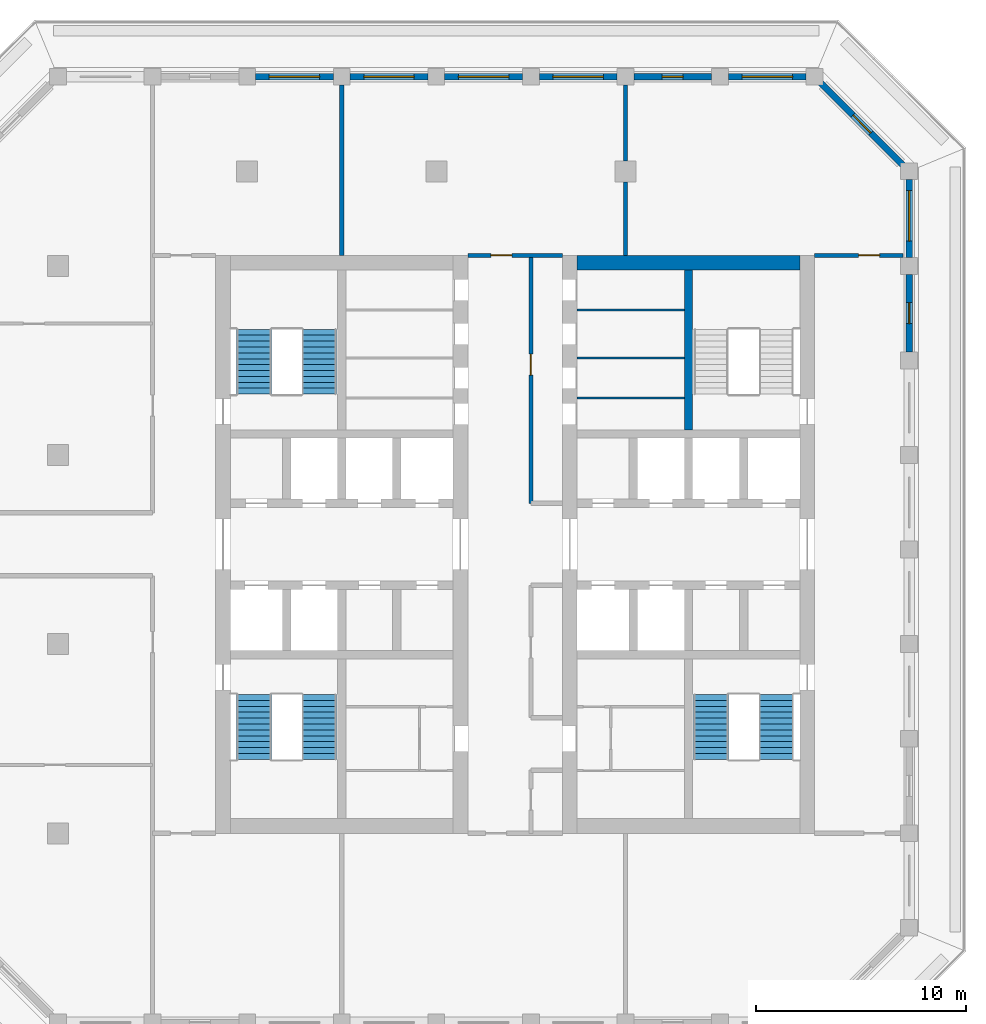
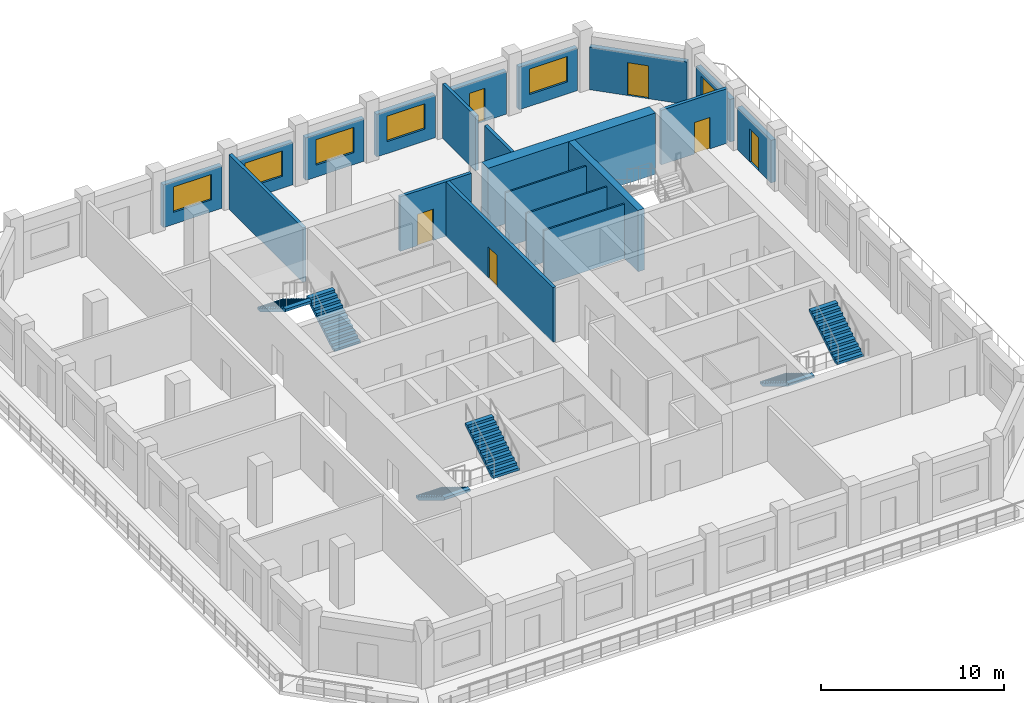
# One storey, part 6 of 14: 20 walls, 6 doors, 6 stair flights, 6 windows, 12 openings, 3 elements without a shape of their own.
"""IFC4 building model written with IfcOpenShell, lengths in metres."""

from ifc_helpers import new_model, si_unit, direction, frame, frame_2d, origin, place, context, subcontext, project, spatial, polyline, rectangle, outline, extrude, material, layer, layer_set, type_object, element, fill, aggregate, save


model = new_model("IFC4")

# Units and contexts
model_context = context("Model", 3, precision=1e-05, world=origin(), true_north=direction((0.0, 1.0)))
body_context = subcontext(model_context, "Body", "Model", "MODEL_VIEW")
ifc_project = project(units=[si_unit("LENGTHUNIT", "METRE"), si_unit("AREAUNIT", "SQUARE_METRE"), si_unit("VOLUMEUNIT", "CUBIC_METRE"), si_unit("PLANEANGLEUNIT", "RADIAN"), si_unit("MASSUNIT", "GRAM", prefix="KILO")], contexts=[model_context])

# Site, building, storey
site_placement = place(None, origin())
site = spatial("IfcSite", under=ifc_project, at=site_placement, CompositionType="ELEMENT")
building_placement = place(site_placement, origin())
building = spatial("IfcBuilding", under=site, at=building_placement, Name="Corbel Stack Research Tower", CompositionType="ELEMENT")
storey_placement = place(building_placement, frame((0.0, 0.0, 270.39990234375)))
storey = spatial("IfcBuildingStorey", under=building, at=storey_placement, Name="L61", CompositionType="ELEMENT", Elevation=270.39990234375)

# Walls
ifc_material_1 = material(Name="Concrete C60/75", Category="concrete")
ifc_layer_1 = layer(ifc_material_1, 0.39990234375)
ifc_layer_set_1 = layer_set([ifc_layer_1], Name="Concrete C60/75")
wall_type_1 = type_object("IfcWallType", Name="CW-400-60", PredefinedType="SHEAR", material=ifc_layer_set_1)
wall_1_placement = place(storey_placement, frame((12.0, 10.199951171875, 0.0), z_axis=(0.0, 0.0, 1.0), x_axis=(0.0, 1.0, 0.0)))
element("IfcWall", 1, at=wall_1_placement, inside=storey, type_object=wall_type_1, Name="East core wall, north stair and riser L61", PredefinedType="SHEAR", context=body_context, shape_type="SweptSolid", body=[
    extrude(rectangle(XDim=7.60009765625, YDim=0.39990234375, at=frame_2d((3.800048828125, 0.0))), origin(), (0.0, 0.0, 1.0), 4.10009765625),
])
ifc_material_2 = material(Name="Concrete C60/75", Category="concrete")
ifc_layer_2 = layer(ifc_material_2, 0.699951171875)
ifc_layer_set_2 = layer_set([ifc_layer_2], Name="Concrete C60/75")
wall_type_2 = type_object("IfcWallType", Name="CW-700-60", PredefinedType="SHEAR", material=ifc_layer_set_2)
wall_2_placement = place(storey_placement, frame((6.699951171875, 18.14990234375, 0.0), z_axis=(0.0, 0.0, 1.0), x_axis=(1.0, 0.0, 0.0)))
element("IfcWall", 2, at=wall_2_placement, inside=storey, type_object=wall_type_2, Name="East core wall, north end L61", PredefinedType="SHEAR", context=body_context, shape_type="SweptSolid", body=[
    extrude(rectangle(XDim=10.60009765625, YDim=0.699951171875, at=frame_2d((5.300048828125, 0.0))), origin(), (0.0, 0.0, 1.0), 4.10009765625),
])
ifc_material_3 = material(Name="Gypsum board")
ifc_layer_3 = layer(ifc_material_3, 0.10009765625)
ifc_layer_set_3 = layer_set([ifc_layer_3], Name="Gypsum board")
wall_type_3 = type_object("IfcWallType", Name="Core partition 100", PredefinedType="PARTITIONING", material=ifc_layer_set_3)
for number, where, z_axis, x_axis, name in (
    (3, (6.699951171875, 11.719970703125, 0.0), (0.0, 0.0, 1.0), (1.0, 0.0, 0.0), "Core partition E"),
    (4, (6.699951171875, 13.6201171875, 0.0), (0.0, 0.0, 1.0), (1.0, 0.0, 0.0), "Core partition E"),
    (5, (6.699951171875, 15.89990234375, 0.0), (0.0, 0.0, 1.0), (1.0, 0.0, 0.0), "Core partition E"),
):
    element("IfcWall", number, at=place(storey_placement, frame(where, z_axis=z_axis, x_axis=x_axis)), inside=storey, type_object=wall_type_3, Name=name, PredefinedType="PARTITIONING", context=body_context, shape_type="SweptSolid", body=[
        extrude(rectangle(XDim=5.10009765625, YDim=0.10009765625, at=frame_2d((2.550048828125, 0.0))), origin(), (0.0, 0.0, 1.0), 3.650146484375),
    ])
ifc_material_4 = material(Name="Fire-rated gypsum board partition on steel studs", Category="steel")
ifc_layer_4 = layer(ifc_material_4, 0.199951171875)
ifc_layer_set_4 = layer_set([ifc_layer_4], Name="Fire-rated gypsum board partition on steel studs")
wall_type_4 = type_object("IfcWallType", Name="Fire-rated partition 200 EI 60", PredefinedType="PARTITIONING", material=ifc_layer_set_4)
wall_3_placement = place(storey_placement, frame((-4.5, 18.5, 0.0), z_axis=(0.0, 0.0, 1.0), x_axis=(0.0, 1.0, 0.0)))
element("IfcWall", 6, at=wall_3_placement, inside=storey, type_object=wall_type_4, Name="Partition L61-004", PredefinedType="PARTITIONING", context=body_context, shape_type="SweptSolid", body=[
    extrude(rectangle(XDim=8.10009765625, YDim=0.199951171875, at=frame_2d((4.050048828125, 0.0))), origin(), (0.0, 0.0, 1.0), 3.650146484375),
])

# Wall, opening, door
wall_4_placement = place(storey_placement, frame((4.5, 18.5, 0.0), z_axis=(0.0, 0.0, 1.0), x_axis=(0.0, -1.0, 0.0)))
wall_4 = element("IfcWall", 7, at=wall_4_placement, inside=storey, type_object=wall_type_4, Name="Partition L61-007", PredefinedType="PARTITIONING", context=body_context, shape_type="SweptSolid", body=[
    extrude(rectangle(XDim=11.800048828125, YDim=0.199951171875, at=frame_2d((5.89990234375, 0.0))), origin(), (0.0, 0.0, 1.0), 3.650146484375),
])
opening_1_placement = place(wall_4_placement, frame((4.699951171875, 0.0, 0.0)))
opening_1 = element("IfcOpeningElement", 8, at=opening_1_placement, cuts=wall_4, Name="Opening B8V1-009", PredefinedType="OPENING", context=body_context, shape_type="SweptSolid", body=[
    extrude(rectangle(XDim=1.0, YDim=2.10009765625, at=frame_2d((0.5, 1.050048828125))), frame((0.0, 0.10986328125, 0.0), z_axis=(0.0, -1.0, 0.0), x_axis=(1.0, 0.0, 0.0)), (0.0, 0.0, 1.0), 0.219970703125),
])
ifc_material_5 = material(Name="Painted steel fire door", Category="steel")
door_type_1 = type_object("IfcDoorType", Name="Fire door FD30S 1000 x 2100", OperationType="NOTDEFINED", PredefinedType="DOOR", material=ifc_material_5)
door_1_placement = place(opening_1_placement, origin())
door_1 = element("IfcDoor", 9, at=door_1_placement, inside=storey, type_object=door_type_1, Name="Door B8V1-009", OperationType="SINGLE_SWING_LEFT", OverallHeight=2.10009765625, OverallWidth=1.0, PredefinedType="DOOR", context=body_context, shape_type="SweptSolid", body=[
    extrude(rectangle(XDim=1.0, YDim=2.10009765625, at=frame_2d((0.5, 1.050048828125))), frame((0.0, 0.02490234375, 0.0), z_axis=(0.0, -1.0, 0.0), x_axis=(1.0, 0.0, 0.0)), (0.0, 0.0, 1.0), 0.050048828125),
])
fill(opening_1, door_1)

# Walls
wall_5_placement = place(storey_placement, frame((9.0, 18.5, 0.0), z_axis=(0.0, 0.0, 1.0), x_axis=(0.0, 1.0, 0.0)))
element("IfcWall", 10, at=wall_5_placement, inside=storey, type_object=wall_type_4, Name="Partition L61-009", PredefinedType="PARTITIONING", context=body_context, shape_type="SweptSolid", body=[
    extrude(rectangle(XDim=3.5, YDim=0.199951171875, at=frame_2d((1.75, 0.0))), origin(), (0.0, 0.0, 1.0), 3.650146484375),
])
wall_6_placement = place(storey_placement, frame((9.0, 23.0, 0.0), z_axis=(0.0, 0.0, 1.0), x_axis=(0.0, 1.0, 0.0)))
element("IfcWall", 11, at=wall_6_placement, inside=storey, type_object=wall_type_4, Name="Partition L61-010", PredefinedType="PARTITIONING", context=body_context, shape_type="SweptSolid", body=[
    extrude(rectangle(XDim=3.60009765625, YDim=0.199951171875, at=frame_2d((1.800048828125, 0.0))), origin(), (0.0, 0.0, 1.0), 3.650146484375),
])

# Wall, opening, door
wall_7_placement = place(storey_placement, frame((1.5, 18.5, 0.0), z_axis=(0.0, 0.0, 1.0), x_axis=(1.0, 0.0, 0.0)))
wall_7 = element("IfcWall", 12, at=wall_7_placement, inside=storey, type_object=wall_type_4, Name="Partition L61-023", PredefinedType="PARTITIONING", context=body_context, shape_type="SweptSolid", body=[
    extrude(rectangle(XDim=4.5, YDim=0.199951171875, at=frame_2d((2.25, 0.0))), origin(), (0.0, 0.0, 1.0), 3.650146484375),
])
opening_2_placement = place(wall_7_placement, frame((1.10009765625, 0.0, 0.0)))
opening_2 = element("IfcOpeningElement", 13, at=opening_2_placement, cuts=wall_7, Name="Opening B8V1-012", PredefinedType="OPENING", context=body_context, shape_type="SweptSolid", body=[
    extrude(rectangle(XDim=1.0, YDim=2.10009765625, at=frame_2d((0.5, 1.050048828125))), frame((0.0, 0.10986328125, 0.0), z_axis=(0.0, -1.0, 0.0), x_axis=(1.0, 0.0, 0.0)), (0.0, 0.0, 1.0), 0.219970703125),
])
door_2_placement = place(opening_2_placement, origin())
door_2 = element("IfcDoor", 14, at=door_2_placement, inside=storey, type_object=door_type_1, Name="Door B8V1-012", OperationType="SINGLE_SWING_LEFT", OverallHeight=2.10009765625, OverallWidth=1.0, PredefinedType="DOOR", context=body_context, shape_type="SweptSolid", body=[
    extrude(rectangle(XDim=1.0, YDim=2.10009765625, at=frame_2d((0.5, 1.050048828125))), frame((0.0, 0.02490234375, 0.0), z_axis=(0.0, -1.0, 0.0), x_axis=(1.0, 0.0, 0.0)), (0.0, 0.0, 1.0), 0.050048828125),
])
fill(opening_2, door_2)

wall_8_placement = place(storey_placement, frame((18.0, 18.5, 0.0), z_axis=(0.0, 0.0, 1.0), x_axis=(1.0, 0.0, 0.0)))
wall_8 = element("IfcWall", 15, at=wall_8_placement, inside=storey, type_object=wall_type_4, Name="Partition L61-024", PredefinedType="PARTITIONING", context=body_context, shape_type="SweptSolid", body=[
    extrude(rectangle(XDim=4.200927734375, YDim=0.199951171875, at=frame_2d((2.1005859375, 0.0))), origin(), (0.0, 0.0, 1.0), 3.650146484375),
])
opening_3_placement = place(wall_8_placement, frame((2.10009765625, 0.0, 0.0)))
opening_3 = element("IfcOpeningElement", 16, at=opening_3_placement, cuts=wall_8, Name="Opening B8V1-013", PredefinedType="OPENING", context=body_context, shape_type="SweptSolid", body=[
    extrude(rectangle(XDim=1.0, YDim=2.10009765625, at=frame_2d((0.5, 1.050048828125))), frame((0.0, 0.10986328125, 0.0), z_axis=(0.0, -1.0, 0.0), x_axis=(1.0, 0.0, 0.0)), (0.0, 0.0, 1.0), 0.219970703125),
])
door_3_placement = place(opening_3_placement, origin())
door_3 = element("IfcDoor", 17, at=door_3_placement, inside=storey, type_object=door_type_1, Name="Door B8V1-013", OperationType="SINGLE_SWING_RIGHT", OverallHeight=2.10009765625, OverallWidth=1.0, PredefinedType="DOOR", context=body_context, shape_type="SweptSolid", body=[
    extrude(rectangle(XDim=1.0, YDim=2.10009765625, at=frame_2d((0.5, 1.050048828125))), frame((0.0, 0.02490234375, 0.0), z_axis=(0.0, -1.0, 0.0), x_axis=(1.0, 0.0, 0.0)), (0.0, 0.0, 1.0), 0.050048828125),
])
fill(opening_3, door_3)

ifc_material_6 = material(Name="Concrete C45/55", Category="concrete")
ifc_layer_5 = layer(ifc_material_6, 0.300048828125)
ifc_layer_set_5 = layer_set([ifc_layer_5], Name="Concrete C45/55")
wall_type_5 = type_object("IfcWallType", Name="Terracotta-faced concrete wall 300", PredefinedType="SOLIDWALL", material=ifc_layer_set_5)
wall_9_placement = place(storey_placement, frame((22.5, 17.60009765625, 0.0), z_axis=(0.0, 0.0, 1.0), x_axis=(0.0, -1.0, 0.0)))
wall_9 = element("IfcWall", 18, at=wall_9_placement, inside=storey, type_object=wall_type_5, Name="Facade wall L61 E07", PredefinedType="SOLIDWALL", context=body_context, shape_type="SweptSolid", body=[
    extrude(rectangle(XDim=3.7001953125, YDim=0.300048828125, at=frame_2d((1.85009765625, 0.0))), origin(), (0.0, 0.0, 1.0), 2.85009765625),
])
opening_4_placement = place(wall_9_placement, frame((1.35009765625, 0.0, 0.0)))
opening_4 = element("IfcOpeningElement", 19, at=opening_4_placement, cuts=wall_9, Name="Opening L61-B05", PredefinedType="OPENING", context=body_context, shape_type="SweptSolid", body=[
    extrude(rectangle(XDim=1.0, YDim=2.199951171875, at=frame_2d((0.5, 1.10009765625))), frame((0.0, 0.159912109375, 0.0), z_axis=(0.0, -1.0, 0.0), x_axis=(1.0, 0.0, 0.0)), (0.0, 0.0, 1.0), 0.320068359375),
])
ifc_material_7 = material(Name="Aluminium frame, clear double glazing", Category="aluminium")
door_type_2 = type_object("IfcDoorType", Name="Balcony door BD1 1000 x 2200", OperationType="NOTDEFINED", PredefinedType="DOOR", material=ifc_material_7)
door_4_placement = place(opening_4_placement, origin())
door_4 = element("IfcDoor", 20, at=door_4_placement, inside=storey, type_object=door_type_2, Name="Balcony door L61-B05", OperationType="SINGLE_SWING_RIGHT", OverallHeight=2.199951171875, OverallWidth=1.0, PredefinedType="DOOR", context=body_context, shape_type="SweptSolid", body=[
    extrude(rectangle(XDim=1.0, YDim=2.199951171875, at=frame_2d((0.5, 1.10009765625))), frame((0.0, 0.02490234375, 0.0), z_axis=(0.0, -1.0, 0.0), x_axis=(1.0, 0.0, 0.0)), (0.0, 0.0, 1.0), 0.050048828125),
])
fill(opening_4, door_4)

# Wall, opening, window
wall_10_placement = place(storey_placement, frame((22.5, 22.10009765625, 0.0), z_axis=(0.0, 0.0, 1.0), x_axis=(0.0, -1.0, 0.0)))
wall_10 = element("IfcWall", 21, at=wall_10_placement, inside=storey, type_object=wall_type_5, Name="Facade wall L61 E08", PredefinedType="SOLIDWALL", context=body_context, shape_type="SweptSolid", body=[
    extrude(rectangle(XDim=3.7001953125, YDim=0.300048828125, at=frame_2d((1.85009765625, 0.0))), origin(), (0.0, 0.0, 1.0), 2.85009765625),
])
opening_5_placement = place(wall_10_placement, frame((0.52490234375, 0.0, 0.800048828125)))
opening_5 = element("IfcOpeningElement", 22, at=opening_5_placement, cuts=wall_10, Name="Opening W1", PredefinedType="OPENING", context=body_context, shape_type="SweptSolid", body=[
    extrude(rectangle(XDim=2.39990234375, YDim=1.699951171875, at=frame_2d((1.199951171875, 0.85009765625))), frame((0.0, 0.159912109375, 0.0), z_axis=(0.0, -1.0, 0.0), x_axis=(1.0, 0.0, 0.0)), (0.0, 0.0, 1.0), 0.320068359375),
])
ifc_material_8 = material(Name="Aluminium frame, clear double glazing", Category="aluminium")
window_type = type_object("IfcWindowType", Name="Window W1 2400 x 1700", PartitioningType="SINGLE_PANEL", PredefinedType="WINDOW", material=ifc_material_8)
window_1_placement = place(opening_5_placement, origin())
window_1 = element("IfcWindow", 23, at=window_1_placement, inside=storey, type_object=window_type, Name="Window W1 L61 E08", OverallHeight=1.699951171875, OverallWidth=2.39990234375, PartitioningType="SINGLE_PANEL", PredefinedType="WINDOW", context=body_context, shape_type="SweptSolid", body=[
    extrude(rectangle(XDim=2.39990234375, YDim=1.699951171875, at=frame_2d((1.199951171875, 0.85009765625))), frame((0.0, 0.030029296875, 0.0), z_axis=(0.0, -1.0, 0.0), x_axis=(1.0, 0.0, 0.0)), (0.0, 0.0, 1.0), 0.06005859375),
])
fill(opening_5, window_1)

# Wall, opening, door
wall_11_placement = place(storey_placement, frame((18.2939453125, 26.7060546875, 0.0), z_axis=(0.0, 0.0, 1.0), x_axis=(0.707106781187, -0.707106781187, 0.0)))
wall_11 = element("IfcWall", 24, at=wall_11_placement, inside=storey, type_object=wall_type_5, Name="Facade wall L61 NE01", PredefinedType="SOLIDWALL", context=body_context, shape_type="SweptSolid", body=[
    extrude(rectangle(XDim=5.532470703125, YDim=0.300048828125, at=frame_2d((2.76611328125, 0.0))), origin(), (0.0, 0.0, 1.0), 2.85009765625),
])
opening_6_placement = place(wall_11_placement, frame((2.166259765625, 0.0, 0.0)))
opening_6 = element("IfcOpeningElement", 25, at=opening_6_placement, cuts=wall_11, Name="Opening L61-B06", PredefinedType="OPENING", context=body_context, shape_type="SweptSolid", body=[
    extrude(rectangle(XDim=1.199951171875, YDim=2.199951171875, at=frame_2d((0.60009765625, 1.10009765625))), frame((0.0, 0.159912109375, 0.0), z_axis=(0.0, -1.0, 0.0), x_axis=(1.0, 0.0, 0.0)), (0.0, 0.0, 1.0), 0.320068359375),
])
ifc_material_9 = material(Name="Aluminium frame, clear double glazing", Category="aluminium")
door_type_3 = type_object("IfcDoorType", Name="Balcony door BD2 1200 x 2200", OperationType="NOTDEFINED", PredefinedType="DOOR", material=ifc_material_9)
door_5_placement = place(opening_6_placement, origin())
door_5 = element("IfcDoor", 26, at=door_5_placement, inside=storey, type_object=door_type_3, Name="Balcony door L61-B06", OperationType="SINGLE_SWING_RIGHT", OverallHeight=2.199951171875, OverallWidth=1.199951171875, PredefinedType="DOOR", context=body_context, shape_type="SweptSolid", body=[
    extrude(rectangle(XDim=1.199951171875, YDim=2.199951171875, at=frame_2d((0.60009765625, 1.10009765625))), frame((0.0, 0.02490234375, 0.0), z_axis=(0.0, -1.0, 0.0), x_axis=(1.0, 0.0, 0.0)), (0.0, 0.0, 1.0), 0.050048828125),
])
fill(opening_6, door_5)

# Wall, opening, window
wall_12_placement = place(storey_placement, frame((13.89990234375, 27.0, 0.0), z_axis=(0.0, 0.0, 1.0), x_axis=(1.0, 0.0, 0.0)))
wall_12 = element("IfcWall", 27, at=wall_12_placement, inside=storey, type_object=wall_type_5, Name="Facade wall L61 N01", PredefinedType="SOLIDWALL", context=body_context, shape_type="SweptSolid", body=[
    extrude(rectangle(XDim=3.7001953125, YDim=0.300048828125, at=frame_2d((1.85009765625, 0.0))), origin(), (0.0, 0.0, 1.0), 2.85009765625),
])
opening_7_placement = place(wall_12_placement, frame((0.64990234375, 0.0, 0.800048828125)))
opening_7 = element("IfcOpeningElement", 28, at=opening_7_placement, cuts=wall_12, Name="Opening W1", PredefinedType="OPENING", context=body_context, shape_type="SweptSolid", body=[
    extrude(rectangle(XDim=2.39990234375, YDim=1.699951171875, at=frame_2d((1.199951171875, 0.85009765625))), frame((0.0, 0.159912109375, 0.0), z_axis=(0.0, -1.0, 0.0), x_axis=(1.0, 0.0, 0.0)), (0.0, 0.0, 1.0), 0.320068359375),
])
window_2_placement = place(opening_7_placement, origin())
window_2 = element("IfcWindow", 29, at=window_2_placement, inside=storey, type_object=window_type, Name="Window W1 L61 N01", OverallHeight=1.699951171875, OverallWidth=2.39990234375, PartitioningType="SINGLE_PANEL", PredefinedType="WINDOW", context=body_context, shape_type="SweptSolid", body=[
    extrude(rectangle(XDim=2.39990234375, YDim=1.699951171875, at=frame_2d((1.199951171875, 0.85009765625))), frame((0.0, 0.030029296875, 0.0), z_axis=(0.0, -1.0, 0.0), x_axis=(1.0, 0.0, 0.0)), (0.0, 0.0, 1.0), 0.06005859375),
])
fill(opening_7, window_2)

# Wall, opening, door
wall_13_placement = place(storey_placement, frame((9.39990234375, 27.0, 0.0), z_axis=(0.0, 0.0, 1.0), x_axis=(1.0, 0.0, 0.0)))
wall_13 = element("IfcWall", 30, at=wall_13_placement, inside=storey, type_object=wall_type_5, Name="Facade wall L61 N02", PredefinedType="SOLIDWALL", context=body_context, shape_type="SweptSolid", body=[
    extrude(rectangle(XDim=3.7001953125, YDim=0.300048828125, at=frame_2d((1.85009765625, 0.0))), origin(), (0.0, 0.0, 1.0), 2.85009765625),
])
opening_8_placement = place(wall_13_placement, frame((1.35009765625, 0.0, 0.0)))
opening_8 = element("IfcOpeningElement", 31, at=opening_8_placement, cuts=wall_13, Name="Opening L61-B07", PredefinedType="OPENING", context=body_context, shape_type="SweptSolid", body=[
    extrude(rectangle(XDim=1.0, YDim=2.199951171875, at=frame_2d((0.5, 1.10009765625))), frame((0.0, 0.159912109375, 0.0), z_axis=(0.0, -1.0, 0.0), x_axis=(1.0, 0.0, 0.0)), (0.0, 0.0, 1.0), 0.320068359375),
])
door_6_placement = place(opening_8_placement, origin())
door_6 = element("IfcDoor", 32, at=door_6_placement, inside=storey, type_object=door_type_2, Name="Balcony door L61-B07", OperationType="SINGLE_SWING_LEFT", OverallHeight=2.199951171875, OverallWidth=1.0, PredefinedType="DOOR", context=body_context, shape_type="SweptSolid", body=[
    extrude(rectangle(XDim=1.0, YDim=2.199951171875, at=frame_2d((0.5, 1.10009765625))), frame((0.0, 0.02490234375, 0.0), z_axis=(0.0, -1.0, 0.0), x_axis=(1.0, 0.0, 0.0)), (0.0, 0.0, 1.0), 0.050048828125),
])
fill(opening_8, door_6)

# Wall, opening, window
wall_14_placement = place(storey_placement, frame((4.89990234375, 27.0, 0.0), z_axis=(0.0, 0.0, 1.0), x_axis=(1.0, 0.0, 0.0)))
wall_14 = element("IfcWall", 33, at=wall_14_placement, inside=storey, type_object=wall_type_5, Name="Facade wall L61 N03", PredefinedType="SOLIDWALL", context=body_context, shape_type="SweptSolid", body=[
    extrude(rectangle(XDim=3.7001953125, YDim=0.300048828125, at=frame_2d((1.85009765625, 0.0))), origin(), (0.0, 0.0, 1.0), 2.85009765625),
])
opening_9_placement = place(wall_14_placement, frame((0.64990234375, 0.0, 0.800048828125)))
opening_9 = element("IfcOpeningElement", 34, at=opening_9_placement, cuts=wall_14, Name="Opening W1", PredefinedType="OPENING", context=body_context, shape_type="SweptSolid", body=[
    extrude(rectangle(XDim=2.39990234375, YDim=1.699951171875, at=frame_2d((1.199951171875, 0.85009765625))), frame((0.0, 0.159912109375, 0.0), z_axis=(0.0, -1.0, 0.0), x_axis=(1.0, 0.0, 0.0)), (0.0, 0.0, 1.0), 0.320068359375),
])
window_3_placement = place(opening_9_placement, origin())
window_3 = element("IfcWindow", 35, at=window_3_placement, inside=storey, type_object=window_type, Name="Window W1 L61 N03", OverallHeight=1.699951171875, OverallWidth=2.39990234375, PartitioningType="SINGLE_PANEL", PredefinedType="WINDOW", context=body_context, shape_type="SweptSolid", body=[
    extrude(rectangle(XDim=2.39990234375, YDim=1.699951171875, at=frame_2d((1.199951171875, 0.85009765625))), frame((0.0, 0.030029296875, 0.0), z_axis=(0.0, -1.0, 0.0), x_axis=(1.0, 0.0, 0.0)), (0.0, 0.0, 1.0), 0.06005859375),
])
fill(opening_9, window_3)

wall_15_placement = place(storey_placement, frame((0.39990234375, 27.0, 0.0), z_axis=(0.0, 0.0, 1.0), x_axis=(1.0, 0.0, 0.0)))
wall_15 = element("IfcWall", 36, at=wall_15_placement, inside=storey, type_object=wall_type_5, Name="Facade wall L61 N04", PredefinedType="SOLIDWALL", context=body_context, shape_type="SweptSolid", body=[
    extrude(rectangle(XDim=3.7001953125, YDim=0.300048828125, at=frame_2d((1.85009765625, 0.0))), origin(), (0.0, 0.0, 1.0), 2.85009765625),
])
opening_10_placement = place(wall_15_placement, frame((0.64990234375, 0.0, 0.800048828125)))
opening_10 = element("IfcOpeningElement", 37, at=opening_10_placement, cuts=wall_15, Name="Opening W1", PredefinedType="OPENING", context=body_context, shape_type="SweptSolid", body=[
    extrude(rectangle(XDim=2.39990234375, YDim=1.699951171875, at=frame_2d((1.199951171875, 0.85009765625))), frame((0.0, 0.159912109375, 0.0), z_axis=(0.0, -1.0, 0.0), x_axis=(1.0, 0.0, 0.0)), (0.0, 0.0, 1.0), 0.320068359375),
])
window_4_placement = place(opening_10_placement, origin())
window_4 = element("IfcWindow", 38, at=window_4_placement, inside=storey, type_object=window_type, Name="Window W1 L61 N04", OverallHeight=1.699951171875, OverallWidth=2.39990234375, PartitioningType="SINGLE_PANEL", PredefinedType="WINDOW", context=body_context, shape_type="SweptSolid", body=[
    extrude(rectangle(XDim=2.39990234375, YDim=1.699951171875, at=frame_2d((1.199951171875, 0.85009765625))), frame((0.0, 0.030029296875, 0.0), z_axis=(0.0, -1.0, 0.0), x_axis=(1.0, 0.0, 0.0)), (0.0, 0.0, 1.0), 0.06005859375),
])
fill(opening_10, window_4)

wall_16_placement = place(storey_placement, frame((-4.10009765625, 27.0, 0.0), z_axis=(0.0, 0.0, 1.0), x_axis=(1.0, 0.0, 0.0)))
wall_16 = element("IfcWall", 39, at=wall_16_placement, inside=storey, type_object=wall_type_5, Name="Facade wall L61 N05", PredefinedType="SOLIDWALL", context=body_context, shape_type="SweptSolid", body=[
    extrude(rectangle(XDim=3.7001953125, YDim=0.300048828125, at=frame_2d((1.85009765625, 0.0))), origin(), (0.0, 0.0, 1.0), 2.85009765625),
])
opening_11_placement = place(wall_16_placement, frame((0.64990234375, 0.0, 0.800048828125)))
opening_11 = element("IfcOpeningElement", 40, at=opening_11_placement, cuts=wall_16, Name="Opening W1", PredefinedType="OPENING", context=body_context, shape_type="SweptSolid", body=[
    extrude(rectangle(XDim=2.39990234375, YDim=1.699951171875, at=frame_2d((1.199951171875, 0.85009765625))), frame((0.0, 0.159912109375, 0.0), z_axis=(0.0, -1.0, 0.0), x_axis=(1.0, 0.0, 0.0)), (0.0, 0.0, 1.0), 0.320068359375),
])
window_5_placement = place(opening_11_placement, origin())
window_5 = element("IfcWindow", 41, at=window_5_placement, inside=storey, type_object=window_type, Name="Window W1 L61 N05", OverallHeight=1.699951171875, OverallWidth=2.39990234375, PartitioningType="SINGLE_PANEL", PredefinedType="WINDOW", context=body_context, shape_type="SweptSolid", body=[
    extrude(rectangle(XDim=2.39990234375, YDim=1.699951171875, at=frame_2d((1.199951171875, 0.85009765625))), frame((0.0, 0.030029296875, 0.0), z_axis=(0.0, -1.0, 0.0), x_axis=(1.0, 0.0, 0.0)), (0.0, 0.0, 1.0), 0.06005859375),
])
fill(opening_11, window_5)

wall_17_placement = place(storey_placement, frame((-8.60009765625, 27.0, 0.0), z_axis=(0.0, 0.0, 1.0), x_axis=(1.0, 0.0, 0.0)))
wall_17 = element("IfcWall", 42, at=wall_17_placement, inside=storey, type_object=wall_type_5, Name="Facade wall L61 N06", PredefinedType="SOLIDWALL", context=body_context, shape_type="SweptSolid", body=[
    extrude(rectangle(XDim=3.7001953125, YDim=0.300048828125, at=frame_2d((1.85009765625, 0.0))), origin(), (0.0, 0.0, 1.0), 2.85009765625),
])
opening_12_placement = place(wall_17_placement, frame((0.64990234375, 0.0, 0.800048828125)))
opening_12 = element("IfcOpeningElement", 43, at=opening_12_placement, cuts=wall_17, Name="Opening W1", PredefinedType="OPENING", context=body_context, shape_type="SweptSolid", body=[
    extrude(rectangle(XDim=2.39990234375, YDim=1.699951171875, at=frame_2d((1.199951171875, 0.85009765625))), frame((0.0, 0.159912109375, 0.0), z_axis=(0.0, -1.0, 0.0), x_axis=(1.0, 0.0, 0.0)), (0.0, 0.0, 1.0), 0.320068359375),
])
window_6_placement = place(opening_12_placement, origin())
window_6 = element("IfcWindow", 44, at=window_6_placement, inside=storey, type_object=window_type, Name="Window W1 L61 N06", OverallHeight=1.699951171875, OverallWidth=2.39990234375, PartitioningType="SINGLE_PANEL", PredefinedType="WINDOW", context=body_context, shape_type="SweptSolid", body=[
    extrude(rectangle(XDim=2.39990234375, YDim=1.699951171875, at=frame_2d((1.199951171875, 0.85009765625))), frame((0.0, 0.030029296875, 0.0), z_axis=(0.0, -1.0, 0.0), x_axis=(1.0, 0.0, 0.0)), (0.0, 0.0, 1.0), 0.06005859375),
])
fill(opening_12, window_6)

# Stair, stair flights
ifc_material_10 = material(Name="Concrete C40/50", Category="concrete")
stair_type = type_object("IfcStairType", Name="Exit stair 24 risers", PredefinedType="HALF_TURN_STAIR", material=ifc_material_10)
stair_1_placement = place(storey_placement, origin())
stair_1 = element("IfcStair", 45, at=stair_1_placement, inside=storey, type_object=stair_type, Name="L61 Exit stair ST-W1", PredefinedType="HALF_TURN_STAIR")
ifc_material_11 = material(Name="Concrete C40/50", Category="concrete")
stair_flight_type = type_object("IfcStairFlightType", Name="Stair flight 12 risers", PredefinedType="STRAIGHT", material=ifc_material_11)
stair_flight_1_placement = place(storey_placement, frame((-8.675048828125, -2.39990234375, 0.0), z_axis=(0.0, 0.0, 1.0), x_axis=(0.0, -1.0, 0.0)))
stair_flight_1 = element("IfcStairFlight", 46, at=stair_flight_1_placement, type_object=stair_flight_type, Name="ST-W1 flight 1", NumberOfRisers=12, NumberOfTreads=11, PredefinedType="STRAIGHT", RiserHeight=0.170833333, TreadLength=0.28, context=body_context, shape_type="SweptSolid", body=[
    extrude(outline(polyline([(0.0, 0.0), (0.0, 0.1708984375), (0.280029296875, 0.1708984375), (0.280029296875, 0.341552734375), (0.56005859375, 0.341552734375), (0.56005859375, 0.512451171875), (0.840087890625, 0.512451171875), (0.840087890625, 0.683349609375), (1.1201171875, 0.683349609375), (1.1201171875, 0.854248046875), (1.39990234375, 0.854248046875), (1.39990234375, 1.02490234375), (1.679931640625, 1.02490234375), (1.679931640625, 1.19580078125), (1.9599609375, 1.19580078125), (1.9599609375, 1.36669921875), (2.239990234375, 1.36669921875), (2.239990234375, 1.53759765625), (2.52001953125, 1.53759765625), (2.52001953125, 1.708251953125), (2.800048828125, 1.708251953125), (2.800048828125, 1.879150390625), (3.080078125, 1.879150390625), (3.080078125, 2.050048828125), (3.080078125, 1.70361328125), (0.287841796875, 0.0), (0.0, 0.0)])), frame((0.0, 0.824951171875, 0.0), z_axis=(0.0, -1.0, 0.0), x_axis=(1.0, 0.0, 0.0)), (0.0, 0.0, 1.0), 1.64990234375),
])
stair_flight_2_placement = place(storey_placement, frame((-5.574951171875, -5.47998046875, 2.050048828125), z_axis=(0.0, 0.0, 1.0), x_axis=(0.0, 1.0, 0.0)))
stair_flight_2 = element("IfcStairFlight", 47, at=stair_flight_2_placement, type_object=stair_flight_type, Name="ST-W1 flight 2", NumberOfRisers=12, NumberOfTreads=11, PredefinedType="STRAIGHT", RiserHeight=0.170833333, TreadLength=0.28, context=body_context, shape_type="SweptSolid", body=[
    extrude(outline(polyline([(0.0, 0.0), (0.0, 0.1708984375), (0.280029296875, 0.1708984375), (0.280029296875, 0.341552734375), (0.56005859375, 0.341552734375), (0.56005859375, 0.512451171875), (0.840087890625, 0.512451171875), (0.840087890625, 0.683349609375), (1.1201171875, 0.683349609375), (1.1201171875, 0.854248046875), (1.39990234375, 0.854248046875), (1.39990234375, 1.02490234375), (1.679931640625, 1.02490234375), (1.679931640625, 1.19580078125), (1.9599609375, 1.19580078125), (1.9599609375, 1.36669921875), (2.239990234375, 1.36669921875), (2.239990234375, 1.53759765625), (2.52001953125, 1.53759765625), (2.52001953125, 1.708251953125), (2.800048828125, 1.708251953125), (2.800048828125, 1.879150390625), (3.080078125, 1.879150390625), (3.080078125, 2.050048828125), (3.080078125, 1.70361328125), (0.287841796875, 0.0), (0.0, 0.0)])), frame((0.0, 0.824951171875, 0.0), z_axis=(0.0, -1.0, 0.0), x_axis=(1.0, 0.0, 0.0)), (0.0, 0.0, 1.0), 1.64990234375),
])
aggregate(stair_1, [stair_flight_1, stair_flight_2])

stair_2_placement = place(storey_placement, origin())
stair_2 = element("IfcStair", 48, at=stair_2_placement, inside=storey, type_object=stair_type, Name="L61 Exit stair ST-W2", PredefinedType="HALF_TURN_STAIR")
stair_flight_3_placement = place(storey_placement, frame((-5.574951171875, 11.89990234375, 0.0), z_axis=(0.0, 0.0, 1.0), x_axis=(0.0, 1.0, 0.0)))
stair_flight_3 = element("IfcStairFlight", 49, at=stair_flight_3_placement, type_object=stair_flight_type, Name="ST-W2 flight 1", NumberOfRisers=12, NumberOfTreads=11, PredefinedType="STRAIGHT", RiserHeight=0.170833333, TreadLength=0.28, context=body_context, shape_type="SweptSolid", body=[
    extrude(outline(polyline([(0.0, 0.0), (0.0, 0.1708984375), (0.280029296875, 0.1708984375), (0.280029296875, 0.341552734375), (0.56005859375, 0.341552734375), (0.56005859375, 0.512451171875), (0.840087890625, 0.512451171875), (0.840087890625, 0.683349609375), (1.1201171875, 0.683349609375), (1.1201171875, 0.854248046875), (1.39990234375, 0.854248046875), (1.39990234375, 1.02490234375), (1.679931640625, 1.02490234375), (1.679931640625, 1.19580078125), (1.9599609375, 1.19580078125), (1.9599609375, 1.36669921875), (2.239990234375, 1.36669921875), (2.239990234375, 1.53759765625), (2.52001953125, 1.53759765625), (2.52001953125, 1.708251953125), (2.800048828125, 1.708251953125), (2.800048828125, 1.879150390625), (3.080078125, 1.879150390625), (3.080078125, 2.050048828125), (3.080078125, 1.70361328125), (0.287841796875, 0.0), (0.0, 0.0)])), frame((0.0, 0.824951171875, 0.0), z_axis=(0.0, -1.0, 0.0), x_axis=(1.0, 0.0, 0.0)), (0.0, 0.0, 1.0), 1.64990234375),
])
stair_flight_4_placement = place(storey_placement, frame((-8.675048828125, 14.97998046875, 2.050048828125), z_axis=(0.0, 0.0, 1.0), x_axis=(0.0, -1.0, 0.0)))
stair_flight_4 = element("IfcStairFlight", 50, at=stair_flight_4_placement, type_object=stair_flight_type, Name="ST-W2 flight 2", NumberOfRisers=12, NumberOfTreads=11, PredefinedType="STRAIGHT", RiserHeight=0.170833333, TreadLength=0.28, context=body_context, shape_type="SweptSolid", body=[
    extrude(outline(polyline([(0.0, 0.0), (0.0, 0.1708984375), (0.280029296875, 0.1708984375), (0.280029296875, 0.341552734375), (0.56005859375, 0.341552734375), (0.56005859375, 0.512451171875), (0.840087890625, 0.512451171875), (0.840087890625, 0.683349609375), (1.1201171875, 0.683349609375), (1.1201171875, 0.854248046875), (1.39990234375, 0.854248046875), (1.39990234375, 1.02490234375), (1.679931640625, 1.02490234375), (1.679931640625, 1.19580078125), (1.9599609375, 1.19580078125), (1.9599609375, 1.36669921875), (2.239990234375, 1.36669921875), (2.239990234375, 1.53759765625), (2.52001953125, 1.53759765625), (2.52001953125, 1.708251953125), (2.800048828125, 1.708251953125), (2.800048828125, 1.879150390625), (3.080078125, 1.879150390625), (3.080078125, 2.050048828125), (3.080078125, 1.70361328125), (0.287841796875, 0.0), (0.0, 0.0)])), frame((0.0, 0.824951171875, 0.0), z_axis=(0.0, -1.0, 0.0), x_axis=(1.0, 0.0, 0.0)), (0.0, 0.0, 1.0), 1.64990234375),
])
aggregate(stair_2, [stair_flight_3, stair_flight_4])

stair_3_placement = place(storey_placement, origin())
stair_3 = element("IfcStair", 51, at=stair_3_placement, inside=storey, type_object=stair_type, Name="L61 Exit stair ST-E1", PredefinedType="HALF_TURN_STAIR")
stair_flight_5_placement = place(storey_placement, frame((13.074951171875, -2.39990234375, 0.0), z_axis=(0.0, 0.0, 1.0), x_axis=(0.0, -1.0, 0.0)))
stair_flight_5 = element("IfcStairFlight", 52, at=stair_flight_5_placement, type_object=stair_flight_type, Name="ST-E1 flight 1", NumberOfRisers=12, NumberOfTreads=11, PredefinedType="STRAIGHT", RiserHeight=0.170833333, TreadLength=0.28, context=body_context, shape_type="SweptSolid", body=[
    extrude(outline(polyline([(0.0, 0.0), (0.0, 0.1708984375), (0.280029296875, 0.1708984375), (0.280029296875, 0.341552734375), (0.56005859375, 0.341552734375), (0.56005859375, 0.512451171875), (0.840087890625, 0.512451171875), (0.840087890625, 0.683349609375), (1.1201171875, 0.683349609375), (1.1201171875, 0.854248046875), (1.39990234375, 0.854248046875), (1.39990234375, 1.02490234375), (1.679931640625, 1.02490234375), (1.679931640625, 1.19580078125), (1.9599609375, 1.19580078125), (1.9599609375, 1.36669921875), (2.239990234375, 1.36669921875), (2.239990234375, 1.53759765625), (2.52001953125, 1.53759765625), (2.52001953125, 1.708251953125), (2.800048828125, 1.708251953125), (2.800048828125, 1.879150390625), (3.080078125, 1.879150390625), (3.080078125, 2.050048828125), (3.080078125, 1.70361328125), (0.287841796875, 0.0), (0.0, 0.0)])), frame((0.0, 0.824951171875, 0.0), z_axis=(0.0, -1.0, 0.0), x_axis=(1.0, 0.0, 0.0)), (0.0, 0.0, 1.0), 1.64990234375),
])
stair_flight_6_placement = place(storey_placement, frame((16.175048828125, -5.47998046875, 2.050048828125), z_axis=(0.0, 0.0, 1.0), x_axis=(0.0, 1.0, 0.0)))
stair_flight_6 = element("IfcStairFlight", 53, at=stair_flight_6_placement, type_object=stair_flight_type, Name="ST-E1 flight 2", NumberOfRisers=12, NumberOfTreads=11, PredefinedType="STRAIGHT", RiserHeight=0.170833333, TreadLength=0.28, context=body_context, shape_type="SweptSolid", body=[
    extrude(outline(polyline([(0.0, 0.0), (0.0, 0.1708984375), (0.280029296875, 0.1708984375), (0.280029296875, 0.341552734375), (0.56005859375, 0.341552734375), (0.56005859375, 0.512451171875), (0.840087890625, 0.512451171875), (0.840087890625, 0.683349609375), (1.1201171875, 0.683349609375), (1.1201171875, 0.854248046875), (1.39990234375, 0.854248046875), (1.39990234375, 1.02490234375), (1.679931640625, 1.02490234375), (1.679931640625, 1.19580078125), (1.9599609375, 1.19580078125), (1.9599609375, 1.36669921875), (2.239990234375, 1.36669921875), (2.239990234375, 1.53759765625), (2.52001953125, 1.53759765625), (2.52001953125, 1.708251953125), (2.800048828125, 1.708251953125), (2.800048828125, 1.879150390625), (3.080078125, 1.879150390625), (3.080078125, 2.050048828125), (3.080078125, 1.70361328125), (0.287841796875, 0.0), (0.0, 0.0)])), frame((0.0, 0.824951171875, 0.0), z_axis=(0.0, -1.0, 0.0), x_axis=(1.0, 0.0, 0.0)), (0.0, 0.0, 1.0), 1.64990234375),
])
aggregate(stair_3, [stair_flight_5, stair_flight_6])

save(model, "model.ifc")
